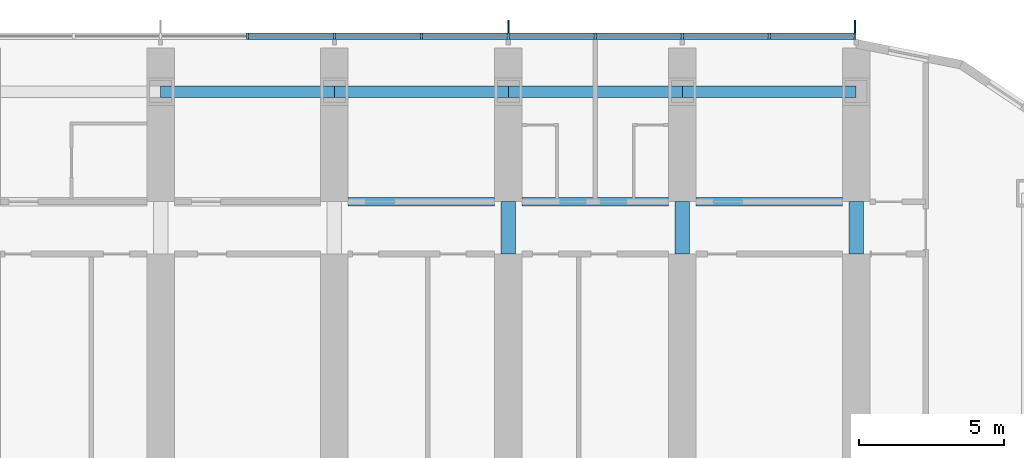
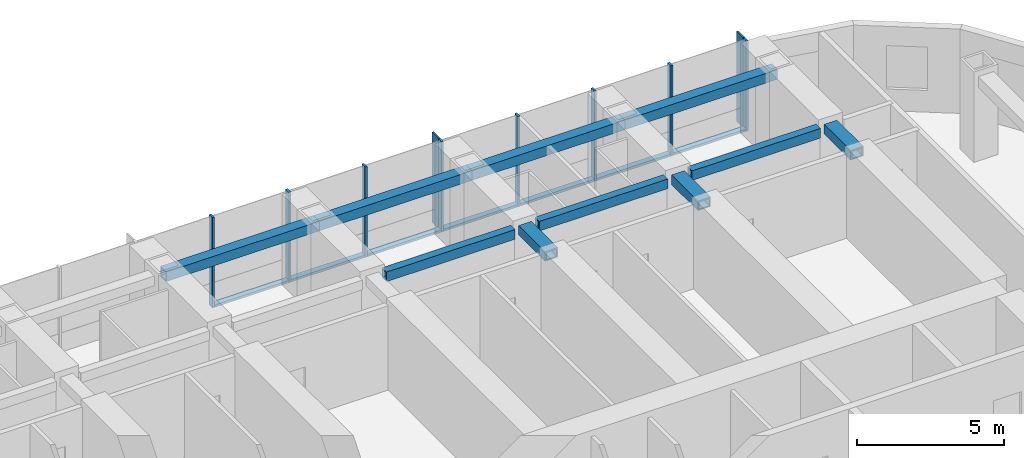
# One storey, part 5 of 21: 17 members, 10 beams, 1 element without a shape of its own.
"""IFC4 building model written with IfcOpenShell, lengths in metres."""

from ifc_helpers import new_model, si_unit, direction, frame, origin, origin_2d, place, context, subcontext, project, spatial, rectangle, hollow_rectangle, extrude, material, material_profile, profile_set, type_object, element, aggregate, save


model = new_model("IFC4")

# Units and contexts
model_context = context("Model", 3, precision=1e-05, world=origin(), true_north=direction((0.0, 1.0)))
body_context = subcontext(model_context, "Body", "Model", "MODEL_VIEW")
ifc_project = project(units=[si_unit("LENGTHUNIT", "METRE"), si_unit("AREAUNIT", "SQUARE_METRE"), si_unit("VOLUMEUNIT", "CUBIC_METRE"), si_unit("PLANEANGLEUNIT", "RADIAN"), si_unit("MASSUNIT", "GRAM", prefix="KILO")], contexts=[model_context])

# Site, building, storey
site_placement = place(None, origin())
site = spatial("IfcSite", under=ifc_project, at=site_placement, CompositionType="ELEMENT")
building_placement = place(site_placement, origin())
building = spatial("IfcBuilding", under=site, at=building_placement, Name="Orbita Commons", CompositionType="ELEMENT")
storey_placement = place(building_placement, frame((0.0, 0.0, 125.64990234375)))
storey = spatial("IfcBuildingStorey", under=building, at=storey_placement, Name="L31", CompositionType="ELEMENT", Elevation=125.64990234375)

# Curtain wall, members
ifc_material_1 = material(Name="Anodised aluminium frame, pale silver", Category="aluminium")
curtain_wall_type = type_object("IfcCurtainWallType", Name="Unitised curtain wall CW-T, vision and spandrel", PredefinedType="NOTDEFINED", material=ifc_material_1)
curtain_wall_placement = place(storey_placement, origin())
curtain_wall = element("IfcCurtainWall", 1, at=curtain_wall_placement, inside=storey, type_object=curtain_wall_type, Name="Curtain wall north L31", PredefinedType="NOTDEFINED")
ifc_material_2 = material(Name="Anodised aluminium, pale silver", Category="aluminium")
ifc_material_profile_1 = material_profile(ifc_material_2, rectangle(XDim=0.080078125, YDim=0.219970703125, at=origin_2d()), Name="AL 80x220")
ifc_profile_set_1 = profile_set([ifc_material_profile_1], Name="Anodised aluminium, pale silver")
member_type_1 = type_object("IfcMemberType", Name="Curtain wall mullion 80x220", PredefinedType="MULLION", material=ifc_profile_set_1)
member_1_placement = place(storey_placement, frame((65.9599609375, 55.510009765625, -0.25), z_axis=(0.0, 0.0, 1.0), x_axis=(-1.0, 0.0, 0.0)))
member_1 = element("IfcMember", 2, at=member_1_placement, type_object=member_type_1, Name="Mullion 1 CW-L31-N", PredefinedType="MULLION", context=body_context, shape_type="SweptSolid", body=[
    extrude(rectangle(XDim=0.080078125, YDim=0.219970703125, at=origin_2d()), origin(), (0.0, 0.0, 1.0), 3.75),
])
member_2_placement = place(storey_placement, frame((63.0, 55.510009765625, -0.25), z_axis=(0.0, 0.0, 1.0), x_axis=(-1.0, 0.0, 0.0)))
member_2 = element("IfcMember", 3, at=member_2_placement, type_object=member_type_1, Name="Mullion 2 CW-L31-N", PredefinedType="MULLION", context=body_context, shape_type="SweptSolid", body=[
    extrude(rectangle(XDim=0.080078125, YDim=0.219970703125, at=origin_2d()), origin(), (0.0, 0.0, 1.0), 3.75),
])
member_3_placement = place(storey_placement, frame((60.0, 55.510009765625, -0.25), z_axis=(0.0, 0.0, 1.0), x_axis=(-1.0, 0.0, 0.0)))
member_3 = element("IfcMember", 4, at=member_3_placement, type_object=member_type_1, Name="Mullion 3 CW-L31-N", PredefinedType="MULLION", context=body_context, shape_type="SweptSolid", body=[
    extrude(rectangle(XDim=0.080078125, YDim=0.219970703125, at=origin_2d()), origin(), (0.0, 0.0, 1.0), 3.75),
])
member_4_placement = place(storey_placement, frame((57.0, 55.510009765625, -0.25), z_axis=(0.0, 0.0, 1.0), x_axis=(-1.0, 0.0, 0.0)))
member_4 = element("IfcMember", 5, at=member_4_placement, type_object=member_type_1, Name="Mullion 4 CW-L31-N", PredefinedType="MULLION", context=body_context, shape_type="SweptSolid", body=[
    extrude(rectangle(XDim=0.080078125, YDim=0.219970703125, at=origin_2d()), origin(), (0.0, 0.0, 1.0), 3.75),
])
member_5_placement = place(storey_placement, frame((54.0, 55.510009765625, -0.25), z_axis=(0.0, 0.0, 1.0), x_axis=(-1.0, 0.0, 0.0)))
member_5 = element("IfcMember", 6, at=member_5_placement, type_object=member_type_1, Name="Mullion 5 CW-L31-N", PredefinedType="MULLION", context=body_context, shape_type="SweptSolid", body=[
    extrude(rectangle(XDim=0.080078125, YDim=0.219970703125, at=origin_2d()), origin(), (0.0, 0.0, 1.0), 3.75),
])
member_6_placement = place(storey_placement, frame((51.0, 55.510009765625, -0.25), z_axis=(0.0, 0.0, 1.0), x_axis=(-1.0, 0.0, 0.0)))
member_6 = element("IfcMember", 7, at=member_6_placement, type_object=member_type_1, Name="Mullion 6 CW-L31-N", PredefinedType="MULLION", context=body_context, shape_type="SweptSolid", body=[
    extrude(rectangle(XDim=0.080078125, YDim=0.219970703125, at=origin_2d()), origin(), (0.0, 0.0, 1.0), 3.75),
])
member_7_placement = place(storey_placement, frame((48.0, 55.510009765625, -0.25), z_axis=(0.0, 0.0, 1.0), x_axis=(-1.0, 0.0, 0.0)))
member_7 = element("IfcMember", 8, at=member_7_placement, type_object=member_type_1, Name="Mullion 7 CW-L31-N", PredefinedType="MULLION", context=body_context, shape_type="SweptSolid", body=[
    extrude(rectangle(XDim=0.080078125, YDim=0.219970703125, at=origin_2d()), origin(), (0.0, 0.0, 1.0), 3.75),
])
member_8_placement = place(storey_placement, frame((45.0, 55.510009765625, -0.25), z_axis=(0.0, 0.0, 1.0), x_axis=(-1.0, 0.0, 0.0)))
member_8 = element("IfcMember", 9, at=member_8_placement, type_object=member_type_1, Name="Mullion 8 CW-L31-N", PredefinedType="MULLION", context=body_context, shape_type="SweptSolid", body=[
    extrude(rectangle(XDim=0.080078125, YDim=0.219970703125, at=origin_2d()), origin(), (0.0, 0.0, 1.0), 3.75),
])
ifc_material_3 = material(Name="Anodised aluminium, pale silver", Category="aluminium")
ifc_material_profile_2 = material_profile(ifc_material_3, rectangle(XDim=0.219970703125, YDim=0.10009765625, at=origin_2d()), Name="AL 220x100")
ifc_profile_set_2 = profile_set([ifc_material_profile_2], Name="Anodised aluminium, pale silver")
member_type_2 = type_object("IfcMemberType", Name="Curtain wall stack transom 220x100", PredefinedType="USERDEFINED", material=ifc_profile_set_2)
member_9_placement = place(storey_placement, frame((65.919921875, 55.510009765625, -0.199951171875), z_axis=(-1.0, 0.0, 0.0), x_axis=(0.0, -1.0, 0.0)))
member_9 = element("IfcMember", 10, at=member_9_placement, type_object=member_type_2, Name="Transom 1.1 CW-L31-N", ObjectType="TRANSOM", PredefinedType="USERDEFINED", context=body_context, shape_type="SweptSolid", body=[
    extrude(rectangle(XDim=0.219970703125, YDim=0.10009765625, at=origin_2d()), origin(), (0.0, 0.0, 1.0), 2.8798828125),
])
member_10_placement = place(storey_placement, frame((62.9599609375, 55.510009765625, -0.199951171875), z_axis=(-1.0, 0.0, 0.0), x_axis=(0.0, -1.0, 0.0)))
member_10 = element("IfcMember", 11, at=member_10_placement, type_object=member_type_2, Name="Transom 2.1 CW-L31-N", ObjectType="TRANSOM", PredefinedType="USERDEFINED", context=body_context, shape_type="SweptSolid", body=[
    extrude(rectangle(XDim=0.219970703125, YDim=0.10009765625, at=origin_2d()), origin(), (0.0, 0.0, 1.0), 2.919921875),
])
member_11_placement = place(storey_placement, frame((59.9599609375, 55.510009765625, -0.199951171875), z_axis=(-1.0, 0.0, 0.0), x_axis=(0.0, -1.0, 0.0)))
member_11 = element("IfcMember", 12, at=member_11_placement, type_object=member_type_2, Name="Transom 3.1 CW-L31-N", ObjectType="TRANSOM", PredefinedType="USERDEFINED", context=body_context, shape_type="SweptSolid", body=[
    extrude(rectangle(XDim=0.219970703125, YDim=0.10009765625, at=origin_2d()), origin(), (0.0, 0.0, 1.0), 2.919921875),
])
member_12_placement = place(storey_placement, frame((56.9599609375, 55.510009765625, -0.199951171875), z_axis=(-1.0, 0.0, 0.0), x_axis=(0.0, -1.0, 0.0)))
member_12 = element("IfcMember", 13, at=member_12_placement, type_object=member_type_2, Name="Transom 4.1 CW-L31-N", ObjectType="TRANSOM", PredefinedType="USERDEFINED", context=body_context, shape_type="SweptSolid", body=[
    extrude(rectangle(XDim=0.219970703125, YDim=0.10009765625, at=origin_2d()), origin(), (0.0, 0.0, 1.0), 2.919921875),
])
member_13_placement = place(storey_placement, frame((53.9599609375, 55.510009765625, -0.199951171875), z_axis=(-1.0, 0.0, 0.0), x_axis=(0.0, -1.0, 0.0)))
member_13 = element("IfcMember", 14, at=member_13_placement, type_object=member_type_2, Name="Transom 5.1 CW-L31-N", ObjectType="TRANSOM", PredefinedType="USERDEFINED", context=body_context, shape_type="SweptSolid", body=[
    extrude(rectangle(XDim=0.219970703125, YDim=0.10009765625, at=origin_2d()), origin(), (0.0, 0.0, 1.0), 2.919921875),
])
member_14_placement = place(storey_placement, frame((50.9599609375, 55.510009765625, -0.199951171875), z_axis=(-1.0, 0.0, 0.0), x_axis=(0.0, -1.0, 0.0)))
member_14 = element("IfcMember", 15, at=member_14_placement, type_object=member_type_2, Name="Transom 6.1 CW-L31-N", ObjectType="TRANSOM", PredefinedType="USERDEFINED", context=body_context, shape_type="SweptSolid", body=[
    extrude(rectangle(XDim=0.219970703125, YDim=0.10009765625, at=origin_2d()), origin(), (0.0, 0.0, 1.0), 2.919921875),
])
member_15_placement = place(storey_placement, frame((47.9599609375, 55.510009765625, -0.199951171875), z_axis=(-1.0, 0.0, 0.0), x_axis=(0.0, -1.0, 0.0)))
member_15 = element("IfcMember", 16, at=member_15_placement, type_object=member_type_2, Name="Transom 7.1 CW-L31-N", ObjectType="TRANSOM", PredefinedType="USERDEFINED", context=body_context, shape_type="SweptSolid", body=[
    extrude(rectangle(XDim=0.219970703125, YDim=0.10009765625, at=origin_2d()), origin(), (0.0, 0.0, 1.0), 2.919921875),
])

# Beams
ifc_material_4 = material(Name="Steel ASTM A572 Gr 50 welded plate", Category="steel")
ifc_material_profile_3 = material_profile(ifc_material_4, hollow_rectangle(XDim=0.300048828125, YDim=0.39990234375, WallThickness=0.0400390625, at=origin_2d()), Name="BOX 400x300x40")
ifc_profile_set_3 = profile_set([ifc_material_profile_3], Name="Steel ASTM A572 Gr 50 welded plate")
beam_type_1 = type_object("IfcBeamType", Name="Steel corridor link BOX 400x300x40", PredefinedType="BEAM", material=ifc_profile_set_3)
for number, where, z_axis, x_axis, name in (
    (17, (48.47509765625, 49.800048828125, 3.300048828125), (1.0, 0.0, 0.0), (0.0, 1.0, 0.0), "Corridor beam NB 9-10 L31"),
    (18, (54.47509765625, 49.800048828125, 3.300048828125), (1.0, 0.0, 0.0), (0.0, 1.0, 0.0), "Corridor beam NB 10-11 L31"),
    (19, (60.47509765625, 49.800048828125, 3.300048828125), (1.0, 0.0, 0.0), (0.0, 1.0, 0.0), "Corridor beam NB 11-12 L31"),
):
    element("IfcBeam", number, at=place(storey_placement, frame(where, z_axis=z_axis, x_axis=x_axis)), inside=storey, type_object=beam_type_1, Name=name, PredefinedType="BEAM", context=body_context, shape_type="SweptSolid", body=[
        extrude(hollow_rectangle(XDim=0.300048828125, YDim=0.39990234375, WallThickness=0.0400390625, at=origin_2d()), origin(), (0.0, 0.0, 1.0), 5.0498046875),
    ])
ifc_material_5 = material(Name="Steel ASTM A572 Gr 50 welded plate", Category="steel")
ifc_material_profile_4 = material_profile(ifc_material_5, hollow_rectangle(XDim=0.5, YDim=0.39990234375, WallThickness=0.050048828125, at=origin_2d()), Name="BOX 400x500x50")
ifc_profile_set_4 = profile_set([ifc_material_profile_4], Name="Steel ASTM A572 Gr 50 welded plate")
beam_type_2 = type_object("IfcBeamType", Name="Steel coupling link BOX 400x500x50", PredefinedType="LINTEL", material=ifc_profile_set_4)
for number, where, z_axis, x_axis, name in (
    (20, (54.0, 48.0, 3.300048828125), (0.0, 1.0, 0.0), (-1.0, 0.0, 0.0), "Coupling beam 10 north L31"),
    (21, (60.0, 48.0, 3.300048828125), (0.0, 1.0, 0.0), (-1.0, 0.0, 0.0), "Coupling beam 11 north L31"),
    (22, (66.0, 48.0, 3.300048828125), (0.0, 1.0, 0.0), (-1.0, 0.0, 0.0), "Coupling beam 12 north L31"),
):
    element("IfcBeam", number, at=place(storey_placement, frame(where, z_axis=z_axis, x_axis=x_axis)), inside=storey, type_object=beam_type_2, Name=name, PredefinedType="LINTEL", context=body_context, shape_type="SweptSolid", body=[
        extrude(hollow_rectangle(XDim=0.5, YDim=0.39990234375, WallThickness=0.050048828125, at=origin_2d()), origin(), (0.0, 0.0, 1.0), 1.800048828125),
    ])
ifc_material_6 = material(Name="Steel ASTM A572 Gr 50 welded plate", Category="steel")
ifc_material_profile_5 = material_profile(ifc_material_6, hollow_rectangle(XDim=0.39990234375, YDim=0.39990234375, WallThickness=0.0400390625, at=origin_2d()), Name="BOX 400x400x40")
ifc_profile_set_5 = profile_set([ifc_material_profile_5], Name="Steel ASTM A572 Gr 50 welded plate")
beam_type_3 = type_object("IfcBeamType", Name="Steel spandrel BOX 400x400x40", PredefinedType="SPANDREL", material=ifc_profile_set_5)
for number, where, z_axis, x_axis, name in (
    (23, (42.0, 53.60009765625, 3.300048828125), (1.0, 0.0, 0.0), (0.0, 1.0, 0.0), "Spandrel beam E 8-9 L31"),
    (24, (48.0, 53.60009765625, 3.300048828125), (1.0, 0.0, 0.0), (0.0, 1.0, 0.0), "Spandrel beam E 9-10 L31"),
    (25, (54.0, 53.60009765625, 3.300048828125), (1.0, 0.0, 0.0), (0.0, 1.0, 0.0), "Spandrel beam E 10-11 L31"),
    (26, (60.0, 53.60009765625, 3.300048828125), (1.0, 0.0, 0.0), (0.0, 1.0, 0.0), "Spandrel beam E 11-12 L31"),
):
    element("IfcBeam", number, at=place(storey_placement, frame(where, z_axis=z_axis, x_axis=x_axis)), inside=storey, type_object=beam_type_3, Name=name, PredefinedType="SPANDREL", context=body_context, shape_type="SweptSolid", body=[
        extrude(hollow_rectangle(XDim=0.39990234375, YDim=0.39990234375, WallThickness=0.0400390625, at=origin_2d()), origin(), (0.0, 0.0, 1.0), 6.0),
    ])

# Member
ifc_material_7 = material(Name="Anodised aluminium, pale silver", Category="aluminium")
ifc_material_profile_6 = material_profile(ifc_material_7, rectangle(XDim=0.06005859375, YDim=0.449951171875, at=origin_2d()), Name="FIN 60x450")
ifc_profile_set_6 = profile_set([ifc_material_profile_6], Name="Anodised aluminium, pale silver")
member_type_3 = type_object("IfcMemberType", Name="Vertical fin 60x450 pale aluminium", PredefinedType="USERDEFINED", material=ifc_profile_set_6)
member_16_placement = place(storey_placement, frame((65.9599609375, 55.844970703125, -0.25), z_axis=(0.0, 0.0, 1.0), x_axis=(-1.0, 0.0, 0.0)))
member_16 = element("IfcMember", 27, at=member_16_placement, type_object=member_type_3, Name="Fin 1 CW-L31-N", ObjectType="FIN", PredefinedType="USERDEFINED", context=body_context, shape_type="SweptSolid", body=[
    extrude(rectangle(XDim=0.06005859375, YDim=0.449951171875, at=origin_2d()), origin(), (0.0, 0.0, 1.0), 3.75),
])

member_17_placement = place(storey_placement, frame((54.0, 55.844970703125, -0.25), z_axis=(0.0, 0.0, 1.0), x_axis=(-1.0, 0.0, 0.0)))
member_17 = element("IfcMember", 28, at=member_17_placement, type_object=member_type_3, Name="Fin 5 CW-L31-N", ObjectType="FIN", PredefinedType="USERDEFINED", context=body_context, shape_type="SweptSolid", body=[
    extrude(rectangle(XDim=0.06005859375, YDim=0.449951171875, at=origin_2d()), origin(), (0.0, 0.0, 1.0), 3.75),
])

aggregate(curtain_wall, [member_1, member_16, member_2, member_3, member_4, member_5, member_17, member_6, member_7, member_8, member_9, member_10, member_11, member_12, member_13, member_14, member_15])

save(model, "model.ifc")
